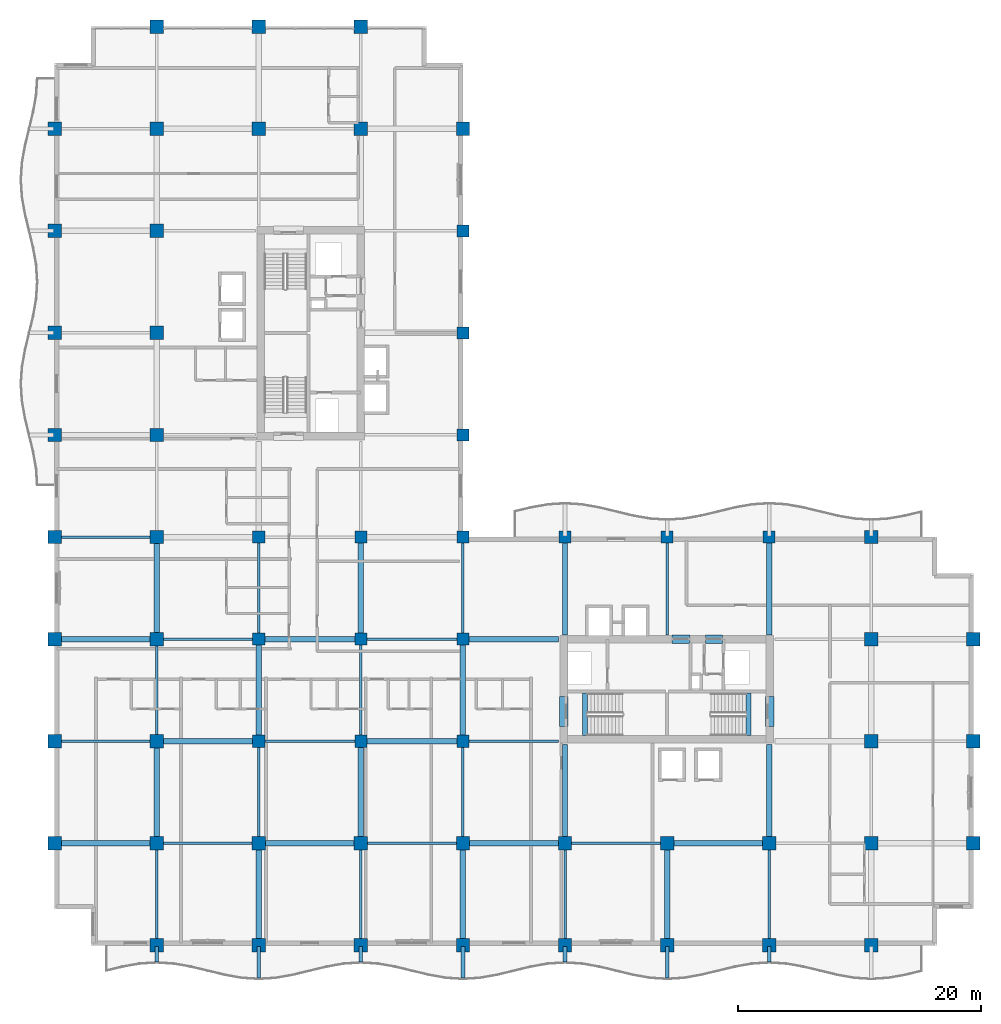
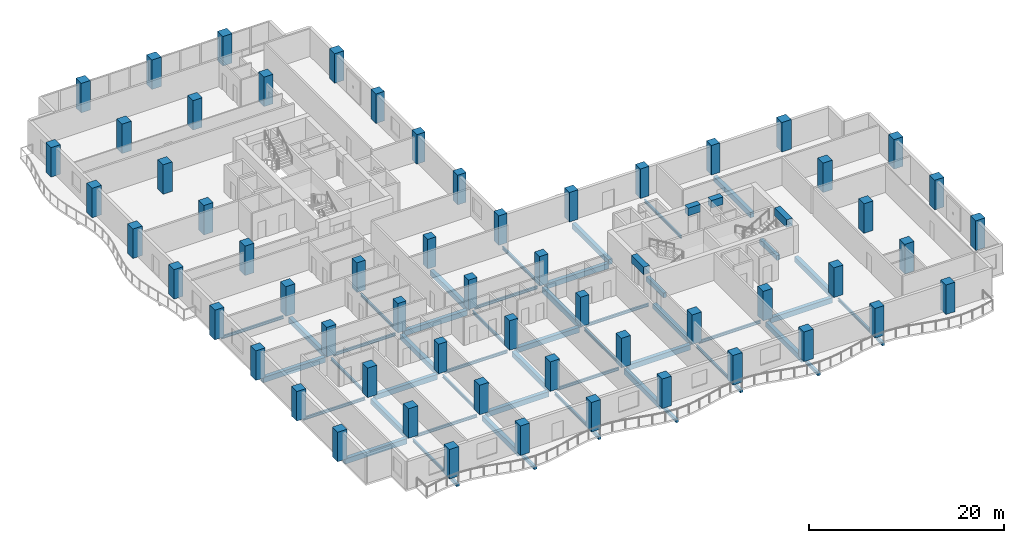
# One storey, part 1 of 19: 58 columns, 55 beams.
"""IFC4 building model written with IfcOpenShell, lengths in metres."""

from ifc_helpers import new_model, si_unit, direction, frame, origin, origin_2d, place, context, subcontext, project, spatial, rectangle, i_section, extrude, material, material_profile, profile_set, type_object, element, save


model = new_model("IFC4")

# Units and contexts
model_context = context("Model", 3, precision=1e-05, world=origin(), true_north=direction((0.0, 1.0)))
body_context = subcontext(model_context, "Body", "Model", "MODEL_VIEW")
ifc_project = project(units=[si_unit("LENGTHUNIT", "METRE"), si_unit("AREAUNIT", "SQUARE_METRE"), si_unit("VOLUMEUNIT", "CUBIC_METRE"), si_unit("PLANEANGLEUNIT", "RADIAN"), si_unit("MASSUNIT", "GRAM", prefix="KILO")], contexts=[model_context])

# Site, building, storey
site_placement = place(None, origin())
site = spatial("IfcSite", under=ifc_project, at=site_placement, CompositionType="ELEMENT")
building_placement = place(site_placement, origin())
building = spatial("IfcBuilding", under=site, at=building_placement, Name="Koriwani Terraces Tower", CompositionType="ELEMENT")
storey_placement = place(building_placement, frame((0.0, 0.0, 190.199951171875)))
storey = spatial("IfcBuildingStorey", under=building, at=storey_placement, Name="L46", CompositionType="ELEMENT", Elevation=190.199951171875)

# Columns
ifc_material_1 = material(Name="Concrete C50/60", Category="concrete")
ifc_material_profile_1 = material_profile(ifc_material_1, rectangle(XDim=1.0, YDim=1.0, at=origin_2d()), Name="Concrete C50/60", Category="LoadBearing")
ifc_profile_set_1 = profile_set([ifc_material_profile_1], Name="Concrete C50/60")
column_type_1 = type_object("IfcColumnType", Name="COL_RC_1000X1000", PredefinedType="COLUMN", material=ifc_profile_set_1)
for number, where, z_axis, x_axis, name in (
    (1, (16.800048828125, 16.800048828125, 0.0), (0.0, 0.0, 1.0), (1.0, 0.0, 0.0), "L46 Column 3/C"),
    (2, (16.800048828125, 25.199951171875, 0.0), (0.0, 0.0, 1.0), (1.0, 0.0, 0.0), "L46 Column 3/D"),
    (3, (16.800048828125, 33.60009765625, 0.0), (0.0, 0.0, 1.0), (1.0, 0.0, 0.0), "L46 Column 3/E"),
    (4, (25.199951171875, 16.800048828125, 0.0), (0.0, 0.0, 1.0), (1.0, 0.0, 0.0), "L46 Column 4/C"),
    (5, (25.199951171875, 25.199951171875, 0.0), (0.0, 0.0, 1.0), (1.0, 0.0, 0.0), "L46 Column 4/D"),
    (6, (25.199951171875, 33.60009765625, 0.0), (0.0, 0.0, 1.0), (1.0, 0.0, 0.0), "L46 Column 4/E"),
    (7, (33.60009765625, 16.800048828125, 0.0), (0.0, 0.0, 1.0), (1.0, 0.0, 0.0), "L46 Column 5/C"),
    (8, (33.60009765625, 25.199951171875, 0.0), (0.0, 0.0, 1.0), (1.0, 0.0, 0.0), "L46 Column 5/D"),
    (9, (33.60009765625, 33.60009765625, 0.0), (0.0, 0.0, 1.0), (1.0, 0.0, 0.0), "L46 Column 5/E"),
    (10, (33.60009765625, 42.0, 0.0), (0.0, 0.0, 1.0), (1.0, 0.0, 0.0), "L46 Column 5/F"),
    (11, (33.60009765625, 50.39990234375, 0.0), (0.0, 0.0, 1.0), (1.0, 0.0, 0.0), "L46 Column 5/G"),
    (12, (33.60009765625, 58.800048828125, 0.0), (0.0, 0.0, 1.0), (1.0, 0.0, 0.0), "L46 Column 5/H"),
    (13, (42.0, 33.60009765625, 0.0), (0.0, 0.0, 1.0), (1.0, 0.0, 0.0), "L46 Column 6/E"),
    (14, (50.39990234375, 33.60009765625, 0.0), (0.0, 0.0, 1.0), (1.0, 0.0, 0.0), "L46 Column 7/E"),
    (15, (58.800048828125, 33.60009765625, 0.0), (0.0, 0.0, 1.0), (1.0, 0.0, 0.0), "L46 Column 8/E"),
):
    element("IfcColumn", number, at=place(storey_placement, frame(where, z_axis=z_axis, x_axis=x_axis)), inside=storey, type_object=column_type_1, Name=name, PredefinedType="COLUMN", context=body_context, shape_type="SweptSolid", body=[
        extrude(rectangle(XDim=1.0, YDim=1.0, at=origin_2d()), origin(), (0.0, 0.0, 1.0), 3.699951171875),
    ])
ifc_material_profile_2 = material_profile(ifc_material_1, rectangle(XDim=1.10009765625, YDim=1.10009765625, at=origin_2d()), Name="Concrete C50/60", Category="LoadBearing")
ifc_profile_set_2 = profile_set([ifc_material_profile_2], Name="Concrete C50/60")
column_type_2 = type_object("IfcColumnType", Name="COL_RC_1100X1100", PredefinedType="COLUMN", material=ifc_profile_set_2)
for number, where, z_axis, x_axis, name in (
    (16, (0.0, 8.39990234375, 0.0), (0.0, 0.0, 1.0), (1.0, 0.0, 0.0), "L46 Column 1/B"),
    (17, (0.0, 16.800048828125, 0.0), (0.0, 0.0, 1.0), (1.0, 0.0, 0.0), "L46 Column 1/C"),
    (18, (0.0, 25.199951171875, 0.0), (0.0, 0.0, 1.0), (1.0, 0.0, 0.0), "L46 Column 1/D"),
    (19, (0.0, 33.60009765625, 0.0), (0.0, 0.0, 1.0), (1.0, 0.0, 0.0), "L46 Column 1/E"),
    (20, (0.0, 42.0, 0.0), (0.0, 0.0, 1.0), (1.0, 0.0, 0.0), "L46 Column 1/F"),
    (21, (0.0, 50.39990234375, 0.0), (0.0, 0.0, 1.0), (1.0, 0.0, 0.0), "L46 Column 1/G"),
    (22, (0.0, 58.800048828125, 0.0), (0.0, 0.0, 1.0), (1.0, 0.0, 0.0), "L46 Column 1/H"),
    (23, (0.0, 67.199951171875, 0.0), (0.0, 0.0, 1.0), (1.0, 0.0, 0.0), "L46 Column 1/I"),
    (24, (8.39990234375, 0.0, 0.0), (0.0, 0.0, 1.0), (1.0, 0.0, 0.0), "L46 Column 2/A"),
    (25, (8.39990234375, 8.39990234375, 0.0), (0.0, 0.0, 1.0), (1.0, 0.0, 0.0), "L46 Column 2/B"),
    (26, (8.39990234375, 16.800048828125, 0.0), (0.0, 0.0, 1.0), (1.0, 0.0, 0.0), "L46 Column 2/C"),
    (27, (8.39990234375, 25.199951171875, 0.0), (0.0, 0.0, 1.0), (1.0, 0.0, 0.0), "L46 Column 2/D"),
    (28, (8.39990234375, 33.60009765625, 0.0), (0.0, 0.0, 1.0), (1.0, 0.0, 0.0), "L46 Column 2/E"),
    (29, (8.39990234375, 42.0, 0.0), (0.0, 0.0, 1.0), (1.0, 0.0, 0.0), "L46 Column 2/F"),
    (30, (8.39990234375, 50.39990234375, 0.0), (0.0, 0.0, 1.0), (1.0, 0.0, 0.0), "L46 Column 2/G"),
    (31, (8.39990234375, 58.800048828125, 0.0), (0.0, 0.0, 1.0), (1.0, 0.0, 0.0), "L46 Column 2/H"),
    (32, (8.39990234375, 67.199951171875, 0.0), (0.0, 0.0, 1.0), (1.0, 0.0, 0.0), "L46 Column 2/I"),
    (33, (8.39990234375, 75.60009765625, 0.0), (0.0, 0.0, 1.0), (1.0, 0.0, 0.0), "L46 Column 2/J"),
    (34, (16.800048828125, 0.0, 0.0), (0.0, 0.0, 1.0), (1.0, 0.0, 0.0), "L46 Column 3/A"),
    (35, (16.800048828125, 8.39990234375, 0.0), (0.0, 0.0, 1.0), (1.0, 0.0, 0.0), "L46 Column 3/B"),
    (36, (16.800048828125, 67.199951171875, 0.0), (0.0, 0.0, 1.0), (1.0, 0.0, 0.0), "L46 Column 3/I"),
    (37, (16.800048828125, 75.60009765625, 0.0), (0.0, 0.0, 1.0), (1.0, 0.0, 0.0), "L46 Column 3/J"),
    (38, (25.199951171875, 0.0, 0.0), (0.0, 0.0, 1.0), (1.0, 0.0, 0.0), "L46 Column 4/A"),
    (39, (25.199951171875, 8.39990234375, 0.0), (0.0, 0.0, 1.0), (1.0, 0.0, 0.0), "L46 Column 4/B"),
    (40, (25.199951171875, 67.199951171875, 0.0), (0.0, 0.0, 1.0), (1.0, 0.0, 0.0), "L46 Column 4/I"),
    (41, (25.199951171875, 75.60009765625, 0.0), (0.0, 0.0, 1.0), (1.0, 0.0, 0.0), "L46 Column 4/J"),
    (42, (33.60009765625, 0.0, 0.0), (0.0, 0.0, 1.0), (1.0, 0.0, 0.0), "L46 Column 5/A"),
    (43, (33.60009765625, 8.39990234375, 0.0), (0.0, 0.0, 1.0), (1.0, 0.0, 0.0), "L46 Column 5/B"),
    (44, (33.60009765625, 67.199951171875, 0.0), (0.0, 0.0, 1.0), (1.0, 0.0, 0.0), "L46 Column 5/I"),
    (45, (42.0, 0.0, 0.0), (0.0, 0.0, 1.0), (1.0, 0.0, 0.0), "L46 Column 6/A"),
    (46, (42.0, 8.39990234375, 0.0), (0.0, 0.0, 1.0), (1.0, 0.0, 0.0), "L46 Column 6/B"),
    (47, (50.39990234375, 0.0, 0.0), (0.0, 0.0, 1.0), (1.0, 0.0, 0.0), "L46 Column 7/A"),
    (48, (50.39990234375, 8.39990234375, 0.0), (0.0, 0.0, 1.0), (1.0, 0.0, 0.0), "L46 Column 7/B"),
    (49, (58.800048828125, 0.0, 0.0), (0.0, 0.0, 1.0), (1.0, 0.0, 0.0), "L46 Column 8/A"),
    (50, (58.800048828125, 8.39990234375, 0.0), (0.0, 0.0, 1.0), (1.0, 0.0, 0.0), "L46 Column 8/B"),
    (51, (67.199951171875, 0.0, 0.0), (0.0, 0.0, 1.0), (1.0, 0.0, 0.0), "L46 Column 9/A"),
    (52, (67.199951171875, 8.39990234375, 0.0), (0.0, 0.0, 1.0), (1.0, 0.0, 0.0), "L46 Column 9/B"),
    (53, (67.199951171875, 16.800048828125, 0.0), (0.0, 0.0, 1.0), (1.0, 0.0, 0.0), "L46 Column 9/C"),
    (54, (67.199951171875, 25.199951171875, 0.0), (0.0, 0.0, 1.0), (1.0, 0.0, 0.0), "L46 Column 9/D"),
    (55, (67.199951171875, 33.60009765625, 0.0), (0.0, 0.0, 1.0), (1.0, 0.0, 0.0), "L46 Column 9/E"),
    (56, (75.60009765625, 8.39990234375, 0.0), (0.0, 0.0, 1.0), (1.0, 0.0, 0.0), "L46 Column 10/B"),
    (57, (75.60009765625, 16.800048828125, 0.0), (0.0, 0.0, 1.0), (1.0, 0.0, 0.0), "L46 Column 10/C"),
    (58, (75.60009765625, 25.199951171875, 0.0), (0.0, 0.0, 1.0), (1.0, 0.0, 0.0), "L46 Column 10/D"),
):
    element("IfcColumn", number, at=place(storey_placement, frame(where, z_axis=z_axis, x_axis=x_axis)), inside=storey, type_object=column_type_2, Name=name, PredefinedType="COLUMN", context=body_context, shape_type="SweptSolid", body=[
        extrude(rectangle(XDim=1.10009765625, YDim=1.10009765625, at=origin_2d()), origin(), (0.0, 0.0, 1.0), 3.699951171875),
    ])

# Beams
ifc_material_2 = material(Name="Concrete C40/50", Category="concrete")
ifc_material_profile_3 = material_profile(ifc_material_2, rectangle(XDim=0.300048828125, YDim=0.39990234375, at=origin_2d()), Name="Concrete C40/50", Category="LoadBearing")
ifc_profile_set_3 = profile_set([ifc_material_profile_3], Name="Concrete C40/50")
beam_type_1 = type_object("IfcBeamType", Name="BEAM_RC_BALCONY_RIB_300X400", PredefinedType="JOIST", material=ifc_profile_set_3)
beam_1_placement = place(storey_placement, frame((8.39990234375, -1.35009765625, -0.429931640625), z_axis=(0.0, 1.0, 0.0), x_axis=(-1.0, 0.0, 0.0)))
element("IfcBeam", 59, at=beam_1_placement, inside=storey, type_object=beam_type_1, Name="L46 Balcony Bracket Rib S-1", PredefinedType="JOIST", context=body_context, shape_type="SweptSolid", body=[
    extrude(rectangle(XDim=0.300048828125, YDim=0.39990234375, at=origin_2d()), origin(), (0.0, 0.0, 1.0), 1.25),
])
beam_2_placement = place(storey_placement, frame((16.800048828125, -2.699951171875, -0.429931640625), z_axis=(0.0, 1.0, 0.0), x_axis=(-1.0, 0.0, 0.0)))
element("IfcBeam", 60, at=beam_2_placement, inside=storey, type_object=beam_type_1, Name="L46 Balcony Bracket Rib S-2", PredefinedType="JOIST", context=body_context, shape_type="SweptSolid", body=[
    extrude(rectangle(XDim=0.300048828125, YDim=0.39990234375, at=origin_2d()), origin(), (0.0, 0.0, 1.0), 2.599853515625),
])
beam_3_placement = place(storey_placement, frame((25.199951171875, -1.35009765625, -0.429931640625), z_axis=(0.0, 1.0, 0.0), x_axis=(-1.0, 0.0, 0.0)))
element("IfcBeam", 61, at=beam_3_placement, inside=storey, type_object=beam_type_1, Name="L46 Balcony Bracket Rib S-3", PredefinedType="JOIST", context=body_context, shape_type="SweptSolid", body=[
    extrude(rectangle(XDim=0.300048828125, YDim=0.39990234375, at=origin_2d()), origin(), (0.0, 0.0, 1.0), 1.25),
])
beam_4_placement = place(storey_placement, frame((33.60009765625, -2.699951171875, -0.429931640625), z_axis=(0.0, 1.0, 0.0), x_axis=(-1.0, 0.0, 0.0)))
element("IfcBeam", 62, at=beam_4_placement, inside=storey, type_object=beam_type_1, Name="L46 Balcony Bracket Rib S-4", PredefinedType="JOIST", context=body_context, shape_type="SweptSolid", body=[
    extrude(rectangle(XDim=0.300048828125, YDim=0.39990234375, at=origin_2d()), origin(), (0.0, 0.0, 1.0), 2.599853515625),
])
beam_5_placement = place(storey_placement, frame((42.0, -1.35009765625, -0.429931640625), z_axis=(0.0, 1.0, 0.0), x_axis=(-1.0, 0.0, 0.0)))
element("IfcBeam", 63, at=beam_5_placement, inside=storey, type_object=beam_type_1, Name="L46 Balcony Bracket Rib S-5", PredefinedType="JOIST", context=body_context, shape_type="SweptSolid", body=[
    extrude(rectangle(XDim=0.300048828125, YDim=0.39990234375, at=origin_2d()), origin(), (0.0, 0.0, 1.0), 1.25),
])
beam_6_placement = place(storey_placement, frame((50.39990234375, -2.699951171875, -0.429931640625), z_axis=(0.0, 1.0, 0.0), x_axis=(-1.0, 0.0, 0.0)))
element("IfcBeam", 64, at=beam_6_placement, inside=storey, type_object=beam_type_1, Name="L46 Balcony Bracket Rib S-6", PredefinedType="JOIST", context=body_context, shape_type="SweptSolid", body=[
    extrude(rectangle(XDim=0.300048828125, YDim=0.39990234375, at=origin_2d()), origin(), (0.0, 0.0, 1.0), 2.599853515625),
])
beam_7_placement = place(storey_placement, frame((58.800048828125, -1.35009765625, -0.429931640625), z_axis=(0.0, 1.0, 0.0), x_axis=(-1.0, 0.0, 0.0)))
element("IfcBeam", 65, at=beam_7_placement, inside=storey, type_object=beam_type_1, Name="L46 Balcony Bracket Rib S-7", PredefinedType="JOIST", context=body_context, shape_type="SweptSolid", body=[
    extrude(rectangle(XDim=0.300048828125, YDim=0.39990234375, at=origin_2d()), origin(), (0.0, 0.0, 1.0), 1.25),
])
ifc_material_3 = material(Name="Concrete C60/75", Category="concrete")
ifc_material_profile_4 = material_profile(ifc_material_3, rectangle(XDim=0.699951171875, YDim=0.949951171875, at=origin_2d()), Name="Concrete C60/75", Category="LoadBearing")
ifc_profile_set_4 = profile_set([ifc_material_profile_4], Name="Concrete C60/75")
beam_type_2 = type_object("IfcBeamType", Name="BEAM_RC_COUPLING_700X950", PredefinedType="LINTEL", material=ifc_profile_set_4)
beam_8_placement = place(storey_placement, frame((50.800048828125, 25.199951171875, 2.9951171875), z_axis=(1.0, 0.0, 0.0), x_axis=(0.0, 1.0, 0.0)))
element("IfcBeam", 66, at=beam_8_placement, inside=storey, type_object=beam_type_2, Name="L46 Core Coupling Lintel Beam EN1", PredefinedType="LINTEL", context=body_context, shape_type="SweptSolid", body=[
    extrude(rectangle(XDim=0.699951171875, YDim=0.949951171875, at=origin_2d()), origin(), (0.0, 0.0, 1.0), 1.47998046875),
])
beam_9_placement = place(storey_placement, frame((53.550048828125, 25.199951171875, 2.9951171875), z_axis=(1.0, 0.0, 0.0), x_axis=(0.0, 1.0, 0.0)))
element("IfcBeam", 67, at=beam_9_placement, inside=storey, type_object=beam_type_2, Name="L46 Core Coupling Lintel Beam EN2", PredefinedType="LINTEL", context=body_context, shape_type="SweptSolid", body=[
    extrude(rectangle(XDim=0.699951171875, YDim=0.949951171875, at=origin_2d()), origin(), (0.0, 0.0, 1.0), 1.39990234375),
])
for number, where, z_axis, x_axis, name in (
    (68, (41.89990234375, 18.0, 2.9951171875), (0.0, 1.0, 0.0), (-1.0, 0.0, 0.0), "L46 Core Coupling Lintel Beam EW"),
    (69, (58.85009765625, 18.0, 2.9951171875), (0.0, 1.0, 0.0), (-1.0, 0.0, 0.0), "L46 Core Coupling Lintel Beam EE"),
):
    element("IfcBeam", number, at=place(storey_placement, frame(where, z_axis=z_axis, x_axis=x_axis)), inside=storey, type_object=beam_type_2, Name=name, PredefinedType="LINTEL", context=body_context, shape_type="SweptSolid", body=[
        extrude(rectangle(XDim=0.699951171875, YDim=0.949951171875, at=origin_2d()), origin(), (0.0, 0.0, 1.0), 2.5),
    ])
ifc_material_profile_5 = material_profile(ifc_material_2, rectangle(XDim=0.39990234375, YDim=0.60009765625, at=origin_2d()), Name="Concrete C40/50", Category="LoadBearing")
ifc_profile_set_5 = profile_set([ifc_material_profile_5], Name="Concrete C40/50")
beam_type_3 = type_object("IfcBeamType", Name="BEAM_RC_GRID_400X600", PredefinedType="BEAM", material=ifc_profile_set_5)
for number, where, z_axis, x_axis, name in (
    (70, (43.655029296875, 17.25, -0.300048828125), (0.0, 1.0, 0.0), (-1.0, 0.0, 0.0), "L46 Stairwell Header Trimmer Beam ST-E1"),
    (71, (57.094970703125, 17.25, -0.300048828125), (0.0, 1.0, 0.0), (-1.0, 0.0, 0.0), "L46 Stairwell Header Trimmer Beam ST-E2"),
):
    element("IfcBeam", number, at=place(storey_placement, frame(where, z_axis=z_axis, x_axis=x_axis)), inside=storey, type_object=beam_type_3, Name=name, PredefinedType="BEAM", context=body_context, shape_type="SweptSolid", body=[
        extrude(rectangle(XDim=0.39990234375, YDim=0.60009765625, at=origin_2d()), origin(), (0.0, 0.0, 1.0), 3.5),
    ])
ifc_material_profile_6 = material_profile(ifc_material_1, rectangle(XDim=0.449951171875, YDim=0.64990234375, at=origin_2d()), Name="Concrete C50/60", Category="LoadBearing")
ifc_profile_set_6 = profile_set([ifc_material_profile_6], Name="Concrete C50/60")
beam_type_4 = type_object("IfcBeamType", Name="BEAM_RC_GRID_450X650", PredefinedType="BEAM", material=ifc_profile_set_6)
beam_10_placement = place(storey_placement, frame((0.530029296875, 8.39990234375, -0.554931640625), z_axis=(1.0, 0.0, 0.0), x_axis=(0.0, 1.0, 0.0)))
element("IfcBeam", 72, at=beam_10_placement, inside=storey, type_object=beam_type_4, Name="L46 Grid Beam B (0.0-8.4m)", PredefinedType="BEAM", context=body_context, shape_type="SweptSolid", body=[
    extrude(rectangle(XDim=0.449951171875, YDim=0.64990234375, at=origin_2d()), origin(), (0.0, 0.0, 1.0), 7.340087890625),
])
beam_11_placement = place(storey_placement, frame((17.330078125, 8.39990234375, -0.554931640625), z_axis=(1.0, 0.0, 0.0), x_axis=(0.0, 1.0, 0.0)))
element("IfcBeam", 73, at=beam_11_placement, inside=storey, type_object=beam_type_4, Name="L46 Grid Beam B (16.8-25.2m)", PredefinedType="BEAM", context=body_context, shape_type="SweptSolid", body=[
    extrude(rectangle(XDim=0.449951171875, YDim=0.64990234375, at=origin_2d()), origin(), (0.0, 0.0, 1.0), 7.33984375),
])
for number, where, z_axis, x_axis, name in (
    (74, (34.1298828125, 8.39990234375, -0.554931640625), (1.0, 0.0, 0.0), (0.0, 1.0, 0.0), "L46 Grid Beam B (33.6-42.0m)"),
    (75, (50.929931640625, 8.39990234375, -0.554931640625), (1.0, 0.0, 0.0), (0.0, 1.0, 0.0), "L46 Grid Beam B (50.4-58.8m)"),
):
    element("IfcBeam", number, at=place(storey_placement, frame(where, z_axis=z_axis, x_axis=x_axis)), inside=storey, type_object=beam_type_4, Name=name, PredefinedType="BEAM", context=body_context, shape_type="SweptSolid", body=[
        extrude(rectangle(XDim=0.449951171875, YDim=0.64990234375, at=origin_2d()), origin(), (0.0, 0.0, 1.0), 7.340087890625),
    ])
beam_12_placement = place(storey_placement, frame((8.929931640625, 16.800048828125, -0.554931640625), z_axis=(1.0, 0.0, 0.0), x_axis=(0.0, 1.0, 0.0)))
element("IfcBeam", 76, at=beam_12_placement, inside=storey, type_object=beam_type_4, Name="L46 Grid Beam C (8.4-16.8m)", PredefinedType="BEAM", context=body_context, shape_type="SweptSolid", body=[
    extrude(rectangle(XDim=0.449951171875, YDim=0.64990234375, at=origin_2d()), origin(), (0.0, 0.0, 1.0), 7.39013671875),
])
beam_13_placement = place(storey_placement, frame((25.679931640625, 16.800048828125, -0.554931640625), z_axis=(1.0, 0.0, 0.0), x_axis=(0.0, 1.0, 0.0)))
element("IfcBeam", 77, at=beam_13_placement, inside=storey, type_object=beam_type_4, Name="L46 Grid Beam C (25.2-33.6m)", PredefinedType="BEAM", context=body_context, shape_type="SweptSolid", body=[
    extrude(rectangle(XDim=0.449951171875, YDim=0.64990234375, at=origin_2d()), origin(), (0.0, 0.0, 1.0), 7.440185546875),
])
beam_14_placement = place(storey_placement, frame((0.530029296875, 25.199951171875, -0.554931640625), z_axis=(1.0, 0.0, 0.0), x_axis=(0.0, 1.0, 0.0)))
element("IfcBeam", 78, at=beam_14_placement, inside=storey, type_object=beam_type_4, Name="L46 Grid Beam D (0.0-8.4m)", PredefinedType="BEAM", context=body_context, shape_type="SweptSolid", body=[
    extrude(rectangle(XDim=0.449951171875, YDim=0.64990234375, at=origin_2d()), origin(), (0.0, 0.0, 1.0), 7.340087890625),
])
beam_15_placement = place(storey_placement, frame((17.280029296875, 25.199951171875, -0.554931640625), z_axis=(1.0, 0.0, 0.0), x_axis=(0.0, 1.0, 0.0)))
element("IfcBeam", 79, at=beam_15_placement, inside=storey, type_object=beam_type_4, Name="L46 Grid Beam D (16.8-25.2m)", PredefinedType="BEAM", context=body_context, shape_type="SweptSolid", body=[
    extrude(rectangle(XDim=0.449951171875, YDim=0.64990234375, at=origin_2d()), origin(), (0.0, 0.0, 1.0), 7.43994140625),
])
beam_16_placement = place(storey_placement, frame((34.080078125, 25.199951171875, -0.554931640625), z_axis=(1.0, 0.0, 0.0), x_axis=(0.0, 1.0, 0.0)))
element("IfcBeam", 80, at=beam_16_placement, inside=storey, type_object=beam_type_4, Name="L46 Grid Beam D (33.6-42.0m)", PredefinedType="BEAM", context=body_context, shape_type="SweptSolid", body=[
    extrude(rectangle(XDim=0.449951171875, YDim=0.64990234375, at=origin_2d()), origin(), (0.0, 0.0, 1.0), 7.389892578125),
])
for number, where, z_axis, x_axis, name in (
    (81, (8.39990234375, 8.929931640625, -0.554931640625), (0.0, 1.0, 0.0), (-1.0, 0.0, 0.0), "L46 Grid Beam 2 (8.4-16.8m)"),
    (82, (8.39990234375, 25.72998046875, -0.554931640625), (0.0, 1.0, 0.0), (-1.0, 0.0, 0.0), "L46 Grid Beam 2 (25.2-33.6m)"),
    (83, (16.800048828125, 0.530029296875, -0.554931640625), (0.0, 1.0, 0.0), (-1.0, 0.0, 0.0), "L46 Grid Beam 3 (0.0-8.4m)"),
):
    element("IfcBeam", number, at=place(storey_placement, frame(where, z_axis=z_axis, x_axis=x_axis)), inside=storey, type_object=beam_type_4, Name=name, PredefinedType="BEAM", context=body_context, shape_type="SweptSolid", body=[
        extrude(rectangle(XDim=0.449951171875, YDim=0.64990234375, at=origin_2d()), origin(), (0.0, 0.0, 1.0), 7.340087890625),
    ])
beam_17_placement = place(storey_placement, frame((16.800048828125, 17.280029296875, -0.554931640625), z_axis=(0.0, 1.0, 0.0), x_axis=(-1.0, 0.0, 0.0)))
element("IfcBeam", 84, at=beam_17_placement, inside=storey, type_object=beam_type_4, Name="L46 Grid Beam 3 (16.8-25.2m)", PredefinedType="BEAM", context=body_context, shape_type="SweptSolid", body=[
    extrude(rectangle(XDim=0.449951171875, YDim=0.64990234375, at=origin_2d()), origin(), (0.0, 0.0, 1.0), 7.43994140625),
])
beam_18_placement = place(storey_placement, frame((25.199951171875, 8.929931640625, -0.554931640625), z_axis=(0.0, 1.0, 0.0), x_axis=(-1.0, 0.0, 0.0)))
element("IfcBeam", 85, at=beam_18_placement, inside=storey, type_object=beam_type_4, Name="L46 Grid Beam 4 (8.4-16.8m)", PredefinedType="BEAM", context=body_context, shape_type="SweptSolid", body=[
    extrude(rectangle(XDim=0.449951171875, YDim=0.64990234375, at=origin_2d()), origin(), (0.0, 0.0, 1.0), 7.39013671875),
])
beam_19_placement = place(storey_placement, frame((25.199951171875, 25.679931640625, -0.554931640625), z_axis=(0.0, 1.0, 0.0), x_axis=(-1.0, 0.0, 0.0)))
element("IfcBeam", 86, at=beam_19_placement, inside=storey, type_object=beam_type_4, Name="L46 Grid Beam 4 (25.2-33.6m)", PredefinedType="BEAM", context=body_context, shape_type="SweptSolid", body=[
    extrude(rectangle(XDim=0.449951171875, YDim=0.64990234375, at=origin_2d()), origin(), (0.0, 0.0, 1.0), 7.440185546875),
])
beam_20_placement = place(storey_placement, frame((33.60009765625, 0.530029296875, -0.554931640625), z_axis=(0.0, 1.0, 0.0), x_axis=(-1.0, 0.0, 0.0)))
element("IfcBeam", 87, at=beam_20_placement, inside=storey, type_object=beam_type_4, Name="L46 Grid Beam 5 (0.0-8.4m)", PredefinedType="BEAM", context=body_context, shape_type="SweptSolid", body=[
    extrude(rectangle(XDim=0.449951171875, YDim=0.64990234375, at=origin_2d()), origin(), (0.0, 0.0, 1.0), 7.340087890625),
])
beam_21_placement = place(storey_placement, frame((33.60009765625, 17.280029296875, -0.554931640625), z_axis=(0.0, 1.0, 0.0), x_axis=(-1.0, 0.0, 0.0)))
element("IfcBeam", 88, at=beam_21_placement, inside=storey, type_object=beam_type_4, Name="L46 Grid Beam 5 (16.8-25.2m)", PredefinedType="BEAM", context=body_context, shape_type="SweptSolid", body=[
    extrude(rectangle(XDim=0.449951171875, YDim=0.64990234375, at=origin_2d()), origin(), (0.0, 0.0, 1.0), 7.43994140625),
])
beam_22_placement = place(storey_placement, frame((42.0, 8.929931640625, -0.554931640625), z_axis=(0.0, 1.0, 0.0), x_axis=(-1.0, 0.0, 0.0)))
element("IfcBeam", 89, at=beam_22_placement, inside=storey, type_object=beam_type_4, Name="L46 Grid Beam 6 (8.4-16.8m)", PredefinedType="BEAM", context=body_context, shape_type="SweptSolid", body=[
    extrude(rectangle(XDim=0.449951171875, YDim=0.64990234375, at=origin_2d()), origin(), (0.0, 0.0, 1.0), 7.590087890625),
])
beam_23_placement = place(storey_placement, frame((42.0, 25.554931640625, -0.554931640625), z_axis=(0.0, 1.0, 0.0), x_axis=(-1.0, 0.0, 0.0)))
element("IfcBeam", 90, at=beam_23_placement, inside=storey, type_object=beam_type_4, Name="L46 Grid Beam 6 (25.2-33.6m)", PredefinedType="BEAM", context=body_context, shape_type="SweptSolid", body=[
    extrude(rectangle(XDim=0.449951171875, YDim=0.64990234375, at=origin_2d()), origin(), (0.0, 0.0, 1.0), 7.565185546875),
])
beam_24_placement = place(storey_placement, frame((50.39990234375, 0.530029296875, -0.554931640625), z_axis=(0.0, 1.0, 0.0), x_axis=(-1.0, 0.0, 0.0)))
element("IfcBeam", 91, at=beam_24_placement, inside=storey, type_object=beam_type_4, Name="L46 Grid Beam 7 (0.0-8.4m)", PredefinedType="BEAM", context=body_context, shape_type="SweptSolid", body=[
    extrude(rectangle(XDim=0.449951171875, YDim=0.64990234375, at=origin_2d()), origin(), (0.0, 0.0, 1.0), 7.340087890625),
])
beam_25_placement = place(storey_placement, frame((58.800048828125, 8.929931640625, -0.554931640625), z_axis=(0.0, 1.0, 0.0), x_axis=(-1.0, 0.0, 0.0)))
element("IfcBeam", 92, at=beam_25_placement, inside=storey, type_object=beam_type_4, Name="L46 Grid Beam 8 (8.4-16.8m)", PredefinedType="BEAM", context=body_context, shape_type="SweptSolid", body=[
    extrude(rectangle(XDim=0.449951171875, YDim=0.64990234375, at=origin_2d()), origin(), (0.0, 0.0, 1.0), 7.590087890625),
])
beam_26_placement = place(storey_placement, frame((58.800048828125, 25.554931640625, -0.554931640625), z_axis=(0.0, 1.0, 0.0), x_axis=(-1.0, 0.0, 0.0)))
element("IfcBeam", 93, at=beam_26_placement, inside=storey, type_object=beam_type_4, Name="L46 Grid Beam 8 (25.2-33.6m)", PredefinedType="BEAM", context=body_context, shape_type="SweptSolid", body=[
    extrude(rectangle(XDim=0.449951171875, YDim=0.64990234375, at=origin_2d()), origin(), (0.0, 0.0, 1.0), 7.565185546875),
])
ifc_material_4 = material(Name="Steel ASTM A572 Grade 50", Category="steel")
ifc_material_profile_7 = material_profile(ifc_material_4, i_section(OverallWidth=0.205078125, OverallDepth=0.35400390625, WebThickness=0.009521484375, FlangeThickness=0.016845703125, at=origin_2d()), Name="Steel ASTM A572 Grade 50", Category="LoadBearing")
ifc_profile_set_7 = profile_set([ifc_material_profile_7], Name="Steel ASTM A572 Grade 50")
beam_type_5 = type_object("IfcBeamType", Name="STEEL_BEAM_W360X79", PredefinedType="JOIST", material=ifc_profile_set_7)
for number, where, z_axis, x_axis, name in (
    (94, (8.929931640625, 8.39990234375, -0.406982421875), (1.0, 0.0, 0.0), (0.0, 1.0, 0.0), "L46 Grid Beam B (8.4-16.8m)"),
    (95, (25.72998046875, 8.39990234375, -0.406982421875), (1.0, 0.0, 0.0), (0.0, 1.0, 0.0), "L46 Grid Beam B (25.2-33.6m)"),
    (96, (42.530029296875, 8.39990234375, -0.406982421875), (1.0, 0.0, 0.0), (0.0, 1.0, 0.0), "L46 Grid Beam B (42.0-50.4m)"),
    (97, (0.530029296875, 16.800048828125, -0.406982421875), (1.0, 0.0, 0.0), (0.0, 1.0, 0.0), "L46 Grid Beam C (0.0-8.4m)"),
):
    element("IfcBeam", number, at=place(storey_placement, frame(where, z_axis=z_axis, x_axis=x_axis)), inside=storey, type_object=beam_type_5, Name=name, PredefinedType="JOIST", context=body_context, shape_type="SweptSolid", body=[
        extrude(i_section(OverallWidth=0.205078125, OverallDepth=0.35400390625, WebThickness=0.009521484375, FlangeThickness=0.016845703125, at=origin_2d()), origin(), (0.0, 0.0, 1.0), 7.340087890625),
    ])
beam_27_placement = place(storey_placement, frame((17.280029296875, 16.800048828125, -0.406982421875), z_axis=(1.0, 0.0, 0.0), x_axis=(0.0, 1.0, 0.0)))
element("IfcBeam", 98, at=beam_27_placement, inside=storey, type_object=beam_type_5, Name="L46 Grid Beam C (16.8-25.2m)", PredefinedType="JOIST", context=body_context, shape_type="SweptSolid", body=[
    extrude(i_section(OverallWidth=0.205078125, OverallDepth=0.35400390625, WebThickness=0.009521484375, FlangeThickness=0.016845703125, at=origin_2d()), origin(), (0.0, 0.0, 1.0), 7.43994140625),
])
beam_28_placement = place(storey_placement, frame((34.080078125, 16.800048828125, -0.406982421875), z_axis=(1.0, 0.0, 0.0), x_axis=(0.0, 1.0, 0.0)))
element("IfcBeam", 99, at=beam_28_placement, inside=storey, type_object=beam_type_5, Name="L46 Grid Beam C (33.6-42.0m)", PredefinedType="JOIST", context=body_context, shape_type="SweptSolid", body=[
    extrude(i_section(OverallWidth=0.205078125, OverallDepth=0.35400390625, WebThickness=0.009521484375, FlangeThickness=0.016845703125, at=origin_2d()), origin(), (0.0, 0.0, 1.0), 7.389892578125),
])
beam_29_placement = place(storey_placement, frame((8.929931640625, 25.199951171875, -0.406982421875), z_axis=(1.0, 0.0, 0.0), x_axis=(0.0, 1.0, 0.0)))
element("IfcBeam", 100, at=beam_29_placement, inside=storey, type_object=beam_type_5, Name="L46 Grid Beam D (8.4-16.8m)", PredefinedType="JOIST", context=body_context, shape_type="SweptSolid", body=[
    extrude(i_section(OverallWidth=0.205078125, OverallDepth=0.35400390625, WebThickness=0.009521484375, FlangeThickness=0.016845703125, at=origin_2d()), origin(), (0.0, 0.0, 1.0), 7.39013671875),
])
beam_30_placement = place(storey_placement, frame((25.679931640625, 25.199951171875, -0.406982421875), z_axis=(1.0, 0.0, 0.0), x_axis=(0.0, 1.0, 0.0)))
element("IfcBeam", 101, at=beam_30_placement, inside=storey, type_object=beam_type_5, Name="L46 Grid Beam D (25.2-33.6m)", PredefinedType="JOIST", context=body_context, shape_type="SweptSolid", body=[
    extrude(i_section(OverallWidth=0.205078125, OverallDepth=0.35400390625, WebThickness=0.009521484375, FlangeThickness=0.016845703125, at=origin_2d()), origin(), (0.0, 0.0, 1.0), 7.440185546875),
])
for number, where, z_axis, x_axis, name in (
    (102, (0.530029296875, 33.60009765625, -0.406982421875), (1.0, 0.0, 0.0), (0.0, 1.0, 0.0), "L46 Grid Beam E (0.0-8.4m)"),
    (103, (8.39990234375, 0.530029296875, -0.406982421875), (0.0, 1.0, 0.0), (-1.0, 0.0, 0.0), "L46 Grid Beam 2 (0.0-8.4m)"),
):
    element("IfcBeam", number, at=place(storey_placement, frame(where, z_axis=z_axis, x_axis=x_axis)), inside=storey, type_object=beam_type_5, Name=name, PredefinedType="JOIST", context=body_context, shape_type="SweptSolid", body=[
        extrude(i_section(OverallWidth=0.205078125, OverallDepth=0.35400390625, WebThickness=0.009521484375, FlangeThickness=0.016845703125, at=origin_2d()), origin(), (0.0, 0.0, 1.0), 7.340087890625),
    ])
beam_31_placement = place(storey_placement, frame((8.39990234375, 17.330078125, -0.406982421875), z_axis=(0.0, 1.0, 0.0), x_axis=(-1.0, 0.0, 0.0)))
element("IfcBeam", 104, at=beam_31_placement, inside=storey, type_object=beam_type_5, Name="L46 Grid Beam 2 (16.8-25.2m)", PredefinedType="JOIST", context=body_context, shape_type="SweptSolid", body=[
    extrude(i_section(OverallWidth=0.205078125, OverallDepth=0.35400390625, WebThickness=0.009521484375, FlangeThickness=0.016845703125, at=origin_2d()), origin(), (0.0, 0.0, 1.0), 7.33984375),
])
beam_32_placement = place(storey_placement, frame((16.800048828125, 8.929931640625, -0.406982421875), z_axis=(0.0, 1.0, 0.0), x_axis=(-1.0, 0.0, 0.0)))
element("IfcBeam", 105, at=beam_32_placement, inside=storey, type_object=beam_type_5, Name="L46 Grid Beam 3 (8.4-16.8m)", PredefinedType="JOIST", context=body_context, shape_type="SweptSolid", body=[
    extrude(i_section(OverallWidth=0.205078125, OverallDepth=0.35400390625, WebThickness=0.009521484375, FlangeThickness=0.016845703125, at=origin_2d()), origin(), (0.0, 0.0, 1.0), 7.39013671875),
])
beam_33_placement = place(storey_placement, frame((16.800048828125, 25.679931640625, -0.406982421875), z_axis=(0.0, 1.0, 0.0), x_axis=(-1.0, 0.0, 0.0)))
element("IfcBeam", 106, at=beam_33_placement, inside=storey, type_object=beam_type_5, Name="L46 Grid Beam 3 (25.2-33.6m)", PredefinedType="JOIST", context=body_context, shape_type="SweptSolid", body=[
    extrude(i_section(OverallWidth=0.205078125, OverallDepth=0.35400390625, WebThickness=0.009521484375, FlangeThickness=0.016845703125, at=origin_2d()), origin(), (0.0, 0.0, 1.0), 7.440185546875),
])
beam_34_placement = place(storey_placement, frame((25.199951171875, 0.530029296875, -0.406982421875), z_axis=(0.0, 1.0, 0.0), x_axis=(-1.0, 0.0, 0.0)))
element("IfcBeam", 107, at=beam_34_placement, inside=storey, type_object=beam_type_5, Name="L46 Grid Beam 4 (0.0-8.4m)", PredefinedType="JOIST", context=body_context, shape_type="SweptSolid", body=[
    extrude(i_section(OverallWidth=0.205078125, OverallDepth=0.35400390625, WebThickness=0.009521484375, FlangeThickness=0.016845703125, at=origin_2d()), origin(), (0.0, 0.0, 1.0), 7.340087890625),
])
beam_35_placement = place(storey_placement, frame((25.199951171875, 17.280029296875, -0.406982421875), z_axis=(0.0, 1.0, 0.0), x_axis=(-1.0, 0.0, 0.0)))
element("IfcBeam", 108, at=beam_35_placement, inside=storey, type_object=beam_type_5, Name="L46 Grid Beam 4 (16.8-25.2m)", PredefinedType="JOIST", context=body_context, shape_type="SweptSolid", body=[
    extrude(i_section(OverallWidth=0.205078125, OverallDepth=0.35400390625, WebThickness=0.009521484375, FlangeThickness=0.016845703125, at=origin_2d()), origin(), (0.0, 0.0, 1.0), 7.43994140625),
])
beam_36_placement = place(storey_placement, frame((33.60009765625, 8.929931640625, -0.406982421875), z_axis=(0.0, 1.0, 0.0), x_axis=(-1.0, 0.0, 0.0)))
element("IfcBeam", 109, at=beam_36_placement, inside=storey, type_object=beam_type_5, Name="L46 Grid Beam 5 (8.4-16.8m)", PredefinedType="JOIST", context=body_context, shape_type="SweptSolid", body=[
    extrude(i_section(OverallWidth=0.205078125, OverallDepth=0.35400390625, WebThickness=0.009521484375, FlangeThickness=0.016845703125, at=origin_2d()), origin(), (0.0, 0.0, 1.0), 7.39013671875),
])
beam_37_placement = place(storey_placement, frame((33.60009765625, 25.679931640625, -0.406982421875), z_axis=(0.0, 1.0, 0.0), x_axis=(-1.0, 0.0, 0.0)))
element("IfcBeam", 110, at=beam_37_placement, inside=storey, type_object=beam_type_5, Name="L46 Grid Beam 5 (25.2-33.6m)", PredefinedType="JOIST", context=body_context, shape_type="SweptSolid", body=[
    extrude(i_section(OverallWidth=0.205078125, OverallDepth=0.35400390625, WebThickness=0.009521484375, FlangeThickness=0.016845703125, at=origin_2d()), origin(), (0.0, 0.0, 1.0), 7.440185546875),
])
beam_38_placement = place(storey_placement, frame((42.0, 0.530029296875, -0.406982421875), z_axis=(0.0, 1.0, 0.0), x_axis=(-1.0, 0.0, 0.0)))
element("IfcBeam", 111, at=beam_38_placement, inside=storey, type_object=beam_type_5, Name="L46 Grid Beam 6 (0.0-8.4m)", PredefinedType="JOIST", context=body_context, shape_type="SweptSolid", body=[
    extrude(i_section(OverallWidth=0.205078125, OverallDepth=0.35400390625, WebThickness=0.009521484375, FlangeThickness=0.016845703125, at=origin_2d()), origin(), (0.0, 0.0, 1.0), 7.340087890625),
])
beam_39_placement = place(storey_placement, frame((50.39990234375, 25.554931640625, -0.406982421875), z_axis=(0.0, 1.0, 0.0), x_axis=(-1.0, 0.0, 0.0)))
element("IfcBeam", 112, at=beam_39_placement, inside=storey, type_object=beam_type_5, Name="L46 Grid Beam 7 (25.2-33.6m)", PredefinedType="JOIST", context=body_context, shape_type="SweptSolid", body=[
    extrude(i_section(OverallWidth=0.205078125, OverallDepth=0.35400390625, WebThickness=0.009521484375, FlangeThickness=0.016845703125, at=origin_2d()), origin(), (0.0, 0.0, 1.0), 7.565185546875),
])
beam_40_placement = place(storey_placement, frame((58.800048828125, 0.530029296875, -0.406982421875), z_axis=(0.0, 1.0, 0.0), x_axis=(-1.0, 0.0, 0.0)))
element("IfcBeam", 113, at=beam_40_placement, inside=storey, type_object=beam_type_5, Name="L46 Grid Beam 8 (0.0-8.4m)", PredefinedType="JOIST", context=body_context, shape_type="SweptSolid", body=[
    extrude(i_section(OverallWidth=0.205078125, OverallDepth=0.35400390625, WebThickness=0.009521484375, FlangeThickness=0.016845703125, at=origin_2d()), origin(), (0.0, 0.0, 1.0), 7.340087890625),
])

save(model, "model.ifc")
